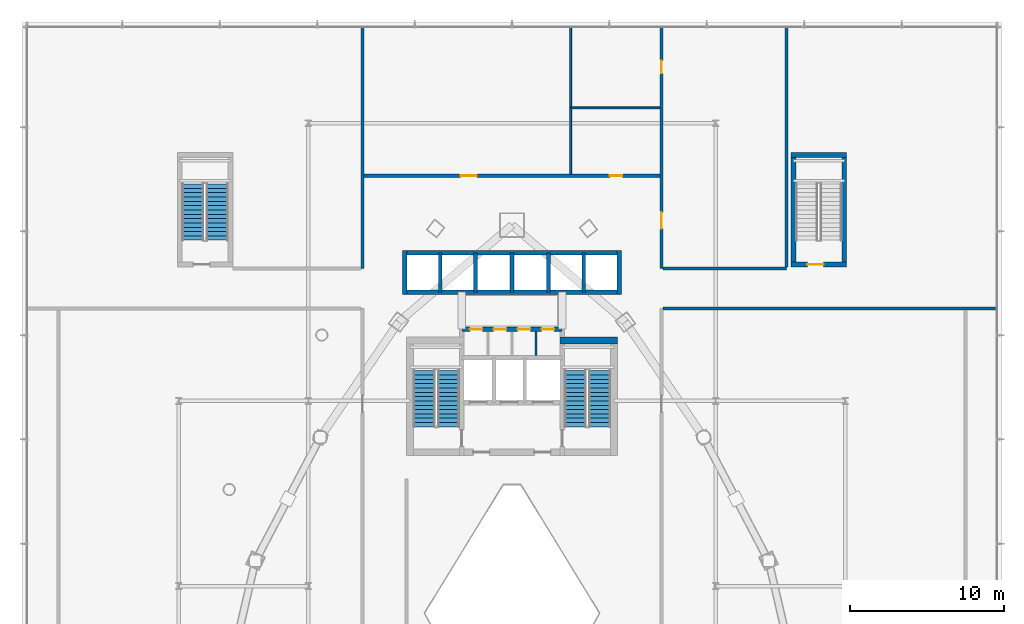
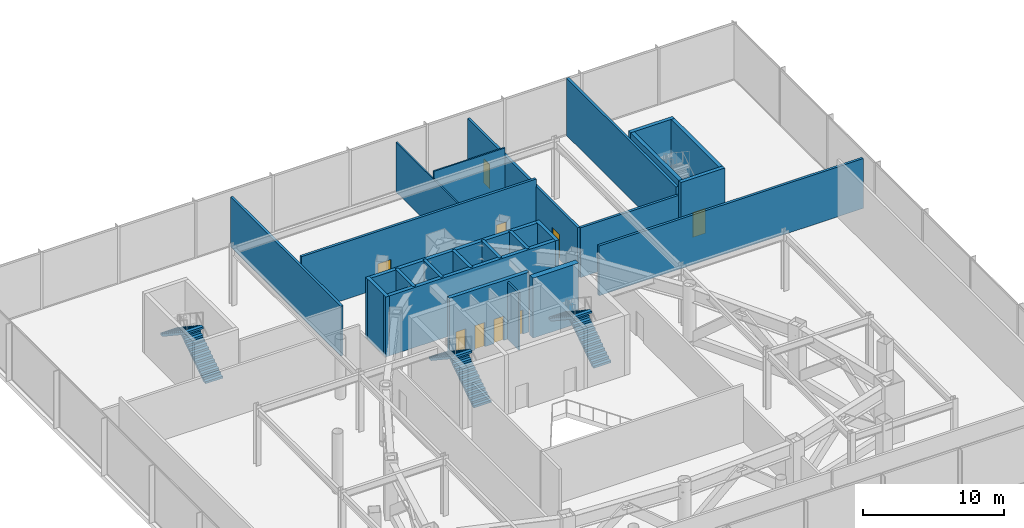
# One storey, part 35 of 43: 24 walls, 9 doors, 6 stair flights, 9 openings, 3 elements without a shape of their own.
"""IFC4 building model written with IfcOpenShell, lengths in metres."""

from ifc_helpers import new_model, si_unit, direction, frame, frame_2d, origin, place, context, subcontext, project, spatial, polyline, rectangle, outline, extrude, material, layer, layer_set, type_object, element, fill, aggregate, save


model = new_model("IFC4")

# Units and contexts
model_context = context("Model", 3, precision=1e-05, world=origin(), true_north=direction((0.0, 1.0)))
body_context = subcontext(model_context, "Body", "Model", "MODEL_VIEW")
ifc_project = project(units=[si_unit("LENGTHUNIT", "METRE"), si_unit("AREAUNIT", "SQUARE_METRE"), si_unit("VOLUMEUNIT", "CUBIC_METRE"), si_unit("PLANEANGLEUNIT", "RADIAN"), si_unit("MASSUNIT", "GRAM", prefix="KILO")], contexts=[model_context])

# Site, building, storey
site_placement = place(None, origin())
site = spatial("IfcSite", under=ifc_project, at=site_placement, CompositionType="ELEMENT")
building_placement = place(site_placement, origin())
building = spatial("IfcBuilding", under=site, at=building_placement, Name="Orvanel Arch Residences", CompositionType="ELEMENT")
storey_placement = place(building_placement, frame((0.0, 0.0, 18.39990234375)))
storey = spatial("IfcBuildingStorey", under=building, at=storey_placement, Name="L04", CompositionType="ELEMENT", Elevation=18.39990234375)

# Walls
ifc_material_1 = material(Name="Concrete N50 (50 MPa)", Category="concrete")
ifc_layer_1 = layer(ifc_material_1, 0.25)
ifc_layer_set_1 = layer_set([ifc_layer_1], Name="Concrete N50 (50 MPa)")
wall_type_1 = type_object("IfcWallType", Name="SW-CORE-250", PredefinedType="SHEAR", material=ifc_layer_set_1)
for number, where, z_axis, x_axis, name in (
    (1, (28.35009765625, 37.050048828125, 0.0), (0.0, 0.0, 1.0), (0.0, 1.0, 0.0), "L04 Passenger Lift Inter-Shaft Wall P13"),
    (2, (30.625, 37.050048828125, 0.0), (0.0, 0.0, 1.0), (0.0, 1.0, 0.0), "L04 Passenger Lift Inter-Shaft Wall P35"),
    (3, (33.0, 37.050048828125, 0.0), (0.0, 0.0, 1.0), (0.0, 1.0, 0.0), "L04 Passenger Lift Inter-Shaft Wall P56"),
    (4, (35.375, 37.050048828125, 0.0), (0.0, 0.0, 1.0), (0.0, 1.0, 0.0), "L04 Passenger Lift Inter-Shaft Wall P64"),
    (5, (37.64990234375, 37.050048828125, 0.0), (0.0, 0.0, 1.0), (0.0, 1.0, 0.0), "L04 Passenger Lift Inter-Shaft Wall P42"),
):
    element("IfcWall", number, at=place(storey_placement, frame(where, z_axis=z_axis, x_axis=x_axis)), inside=storey, type_object=wall_type_1, Name=name, PredefinedType="SHEAR", context=body_context, shape_type="SweptSolid", body=[
        extrude(rectangle(XDim=2.550048828125, YDim=0.25, at=frame_2d((1.27490234375, 0.0))), origin(), (0.0, 0.0, 1.0), 5.2001953125),
    ])

# Wall, openings, doors
ifc_material_2 = material(Name="Concrete S80 (80 MPa)", Category="concrete")
ifc_layer_2 = layer(ifc_material_2, 0.300048828125)
ifc_layer_set_2 = layer_set([ifc_layer_2], Name="Concrete S80 (80 MPa)")
wall_type_2 = type_object("IfcWallType", Name="SW-CORE-300", PredefinedType="SHEAR", material=ifc_layer_set_2)
wall_1_placement = place(storey_placement, frame((29.75, 34.64990234375, 0.0), z_axis=(0.0, 0.0, 1.0), x_axis=(1.0, 0.0, 0.0)))
wall_1 = element("IfcWall", 6, at=wall_1_placement, inside=storey, type_object=wall_type_2, Name="L04 Core Service Band North Shear Wall", PredefinedType="SHEAR", context=body_context, shape_type="SweptSolid", body=[
    extrude(rectangle(XDim=6.5, YDim=0.300048828125, at=frame_2d((3.25, 0.0))), origin(), (0.0, 0.0, 1.0), 5.2001953125),
])
opening_1_placement = place(wall_1_placement, frame((0.514892578125, 0.0, 0.0)))
opening_1 = element("IfcOpeningElement", 7, at=opening_1_placement, cuts=wall_1, Name="Opening DS-082", PredefinedType="OPENING", context=body_context, shape_type="SweptSolid", body=[
    extrude(rectangle(XDim=0.820068359375, YDim=2.10009765625, at=frame_2d((0.41015625, 1.050048828125))), frame((0.0, 0.159912109375, 0.0), z_axis=(0.0, -1.0, 0.0), x_axis=(1.0, 0.0, 0.0)), (0.0, 0.0, 1.0), 0.320068359375),
])
opening_2_placement = place(wall_1_placement, frame((2.06494140625, 0.0, 0.0)))
opening_2 = element("IfcOpeningElement", 8, at=opening_2_placement, cuts=wall_1, Name="Opening DS-082", PredefinedType="OPENING", context=body_context, shape_type="SweptSolid", body=[
    extrude(rectangle(XDim=0.820068359375, YDim=2.10009765625, at=frame_2d((0.41015625, 1.050048828125))), frame((0.0, 0.159912109375, 0.0), z_axis=(0.0, -1.0, 0.0), x_axis=(1.0, 0.0, 0.0)), (0.0, 0.0, 1.0), 0.320068359375),
])
opening_3_placement = place(wall_1_placement, frame((3.614990234375, 0.0, 0.0)))
opening_3 = element("IfcOpeningElement", 9, at=opening_3_placement, cuts=wall_1, Name="Opening DS-082", PredefinedType="OPENING", context=body_context, shape_type="SweptSolid", body=[
    extrude(rectangle(XDim=0.820068359375, YDim=2.10009765625, at=frame_2d((0.41015625, 1.050048828125))), frame((0.0, 0.159912109375, 0.0), z_axis=(0.0, -1.0, 0.0), x_axis=(1.0, 0.0, 0.0)), (0.0, 0.0, 1.0), 0.320068359375),
])
opening_4_placement = place(wall_1_placement, frame((5.1650390625, 0.0, 0.0)))
opening_4 = element("IfcOpeningElement", 10, at=opening_4_placement, cuts=wall_1, Name="Opening DS-082", PredefinedType="OPENING", context=body_context, shape_type="SweptSolid", body=[
    extrude(rectangle(XDim=0.820068359375, YDim=2.10009765625, at=frame_2d((0.41015625, 1.050048828125))), frame((0.0, 0.159912109375, 0.0), z_axis=(0.0, -1.0, 0.0), x_axis=(1.0, 0.0, 0.0)), (0.0, 0.0, 1.0), 0.320068359375),
])
ifc_material_3 = material(Name="Galvanised steel fire-resisting door assembly", Category="steel")
door_type_1 = type_object("IfcDoorType", Name="DR-SVC-820", OperationType="NOTDEFINED", PredefinedType="DOOR", material=ifc_material_3)
door_1_placement = place(opening_1_placement, origin())
door_1 = element("IfcDoor", 11, at=door_1_placement, inside=storey, type_object=door_type_1, Name="DR-L04-CSVC-1 L04 Linen Store Door", OperationType="SINGLE_SWING_LEFT", OverallHeight=2.10009765625, OverallWidth=0.820068359375, PredefinedType="DOOR", context=body_context, shape_type="SweptSolid", body=[
    extrude(rectangle(XDim=0.820068359375, YDim=2.10009765625, at=frame_2d((0.41015625, 1.050048828125))), frame((0.0, 0.02490234375, 0.0), z_axis=(0.0, -1.0, 0.0), x_axis=(1.0, 0.0, 0.0)), (0.0, 0.0, 1.0), 0.050048828125),
])
fill(opening_1, door_1)
door_2_placement = place(opening_2_placement, origin())
door_2 = element("IfcDoor", 12, at=door_2_placement, inside=storey, type_object=door_type_1, Name="DR-L04-CSVC-2 L04 Cleaner's Store Door", OperationType="SINGLE_SWING_LEFT", OverallHeight=2.10009765625, OverallWidth=0.820068359375, PredefinedType="DOOR", context=body_context, shape_type="SweptSolid", body=[
    extrude(rectangle(XDim=0.820068359375, YDim=2.10009765625, at=frame_2d((0.41015625, 1.050048828125))), frame((0.0, 0.02490234375, 0.0), z_axis=(0.0, -1.0, 0.0), x_axis=(1.0, 0.0, 0.0)), (0.0, 0.0, 1.0), 0.050048828125),
])
fill(opening_2, door_2)
door_3_placement = place(opening_3_placement, origin())
door_3 = element("IfcDoor", 13, at=door_3_placement, inside=storey, type_object=door_type_1, Name="DR-L04-CSVC-3 L04 Electrical Meter Store Door", OperationType="SINGLE_SWING_LEFT", OverallHeight=2.10009765625, OverallWidth=0.820068359375, PredefinedType="DOOR", context=body_context, shape_type="SweptSolid", body=[
    extrude(rectangle(XDim=0.820068359375, YDim=2.10009765625, at=frame_2d((0.41015625, 1.050048828125))), frame((0.0, 0.02490234375, 0.0), z_axis=(0.0, -1.0, 0.0), x_axis=(1.0, 0.0, 0.0)), (0.0, 0.0, 1.0), 0.050048828125),
])
fill(opening_3, door_3)
door_4_placement = place(opening_4_placement, origin())
door_4 = element("IfcDoor", 14, at=door_4_placement, inside=storey, type_object=door_type_1, Name="DR-L04-CSVC-4 L04 Housekeeping Supply Store Door", OperationType="SINGLE_SWING_LEFT", OverallHeight=2.10009765625, OverallWidth=0.820068359375, PredefinedType="DOOR", context=body_context, shape_type="SweptSolid", body=[
    extrude(rectangle(XDim=0.820068359375, YDim=2.10009765625, at=frame_2d((0.41015625, 1.050048828125))), frame((0.0, 0.02490234375, 0.0), z_axis=(0.0, -1.0, 0.0), x_axis=(1.0, 0.0, 0.0)), (0.0, 0.0, 1.0), 0.050048828125),
])
fill(opening_4, door_4)

# Walls
for number, where, z_axis, x_axis, name in (
    (15, (40.10009765625, 37.050048828125, 0.0), (0.0, 0.0, 1.0), (-1.0, 0.0, 0.0), "L04 Passenger Lift Bank Front Shear Wall"),
    (16, (25.89990234375, 39.60009765625, 0.0), (0.0, 0.0, 1.0), (1.0, 0.0, 0.0), "L04 Passenger Lift Bank North Shear Wall"),
):
    element("IfcWall", number, at=place(storey_placement, frame(where, z_axis=z_axis, x_axis=x_axis)), inside=storey, type_object=wall_type_2, Name=name, PredefinedType="SHEAR", context=body_context, shape_type="SweptSolid", body=[
        extrude(rectangle(XDim=14.2001953125, YDim=0.300048828125, at=frame_2d((7.10009765625, 0.0))), origin(), (0.0, 0.0, 1.0), 5.2001953125),
    ])
for number, where, z_axis, x_axis, name in (
    (17, (26.050048828125, 36.89990234375, 0.0), (0.0, 0.0, 1.0), (0.0, 1.0, 0.0), "L04 Passenger Lift Bank West Shear Wall"),
    (18, (39.949951171875, 36.89990234375, 0.0), (0.0, 0.0, 1.0), (0.0, 1.0, 0.0), "L04 Passenger Lift Bank East Shear Wall"),
):
    element("IfcWall", number, at=place(storey_placement, frame(where, z_axis=z_axis, x_axis=x_axis)), inside=storey, type_object=wall_type_2, Name=name, PredefinedType="SHEAR", context=body_context, shape_type="SweptSolid", body=[
        extrude(rectangle(XDim=2.85009765625, YDim=0.300048828125, at=frame_2d((1.425048828125, 0.0))), origin(), (0.0, 0.0, 1.0), 5.2001953125),
    ])
for number, where, z_axis, x_axis, name in (
    (19, (51.25, 38.699951171875, 0.0), (0.0, 0.0, 1.0), (0.0, 1.0, 0.0), "L04 ST4 West Shear Wall"),
    (20, (54.550048828125, 38.699951171875, 0.0), (0.0, 0.0, 1.0), (0.0, 1.0, 0.0), "L04 ST4 East Shear Wall"),
):
    element("IfcWall", number, at=place(storey_placement, frame(where, z_axis=z_axis, x_axis=x_axis)), inside=storey, type_object=wall_type_2, Name=name, PredefinedType="SHEAR", context=body_context, shape_type="SweptSolid", body=[
        extrude(rectangle(XDim=7.400146484375, YDim=0.300048828125, at=frame_2d((3.7001953125, 0.0))), origin(), (0.0, 0.0, 1.0), 5.2001953125),
    ])
wall_2_placement = place(storey_placement, frame((51.10009765625, 45.949951171875, 0.0), z_axis=(0.0, 0.0, 1.0), x_axis=(1.0, 0.0, 0.0)))
element("IfcWall", 21, at=wall_2_placement, inside=storey, type_object=wall_type_2, Name="L04 ST4 North Shear Wall", PredefinedType="SHEAR", context=body_context, shape_type="SweptSolid", body=[
    extrude(rectangle(XDim=3.599853515625, YDim=0.300048828125, at=frame_2d((1.7998046875, 0.0))), origin(), (0.0, 0.0, 1.0), 5.2001953125),
])

# Wall, opening, door
wall_3_placement = place(storey_placement, frame((51.10009765625, 38.85009765625, 0.0), z_axis=(0.0, 0.0, 1.0), x_axis=(1.0, 0.0, 0.0)))
wall_3 = element("IfcWall", 22, at=wall_3_placement, inside=storey, type_object=wall_type_2, Name="L04 ST4 South Shear Wall", PredefinedType="SHEAR", context=body_context, shape_type="SweptSolid", body=[
    extrude(rectangle(XDim=3.599853515625, YDim=0.300048828125, at=frame_2d((1.7998046875, 0.0))), origin(), (0.0, 0.0, 1.0), 5.2001953125),
])
opening_5_placement = place(wall_3_placement, frame((1.050048828125, 0.0, 0.0)))
opening_5 = element("IfcOpeningElement", 23, at=opening_5_placement, cuts=wall_3, Name="Opening DF-120", PredefinedType="OPENING", context=body_context, shape_type="SweptSolid", body=[
    extrude(rectangle(XDim=1.050048828125, YDim=2.14990234375, at=frame_2d((0.52490234375, 1.074951171875))), frame((0.0, 0.159912109375, 0.0), z_axis=(0.0, -1.0, 0.0), x_axis=(1.0, 0.0, 0.0)), (0.0, 0.0, 1.0), 0.320068359375),
])
door_type_2 = type_object("IfcDoorType", Name="DR-FD120-1050", OperationType="NOTDEFINED", PredefinedType="DOOR", material=ifc_material_3)
door_5_placement = place(opening_5_placement, origin())
door_5 = element("IfcDoor", 24, at=door_5_placement, inside=storey, type_object=door_type_2, Name="DR-L04-ST4 L04 ST4 Exit Door", OperationType="SINGLE_SWING_LEFT", OverallHeight=2.14990234375, OverallWidth=1.050048828125, PredefinedType="DOOR", context=body_context, shape_type="SweptSolid", body=[
    extrude(rectangle(XDim=1.050048828125, YDim=2.14990234375, at=frame_2d((0.52490234375, 1.074951171875))), frame((0.0, 0.02490234375, 0.0), z_axis=(0.0, -1.0, 0.0), x_axis=(1.0, 0.0, 0.0)), (0.0, 0.0, 1.0), 0.050048828125),
])
fill(opening_5, door_5)

# Walls
ifc_layer_3 = layer(ifc_material_2, 0.449951171875)
ifc_layer_set_3 = layer_set([ifc_layer_3], Name="Concrete S80 (80 MPa)")
wall_type_3 = type_object("IfcWallType", Name="SW-CORE-450", PredefinedType="SHEAR", material=ifc_layer_set_3)
wall_4_placement = place(storey_placement, frame((36.10009765625, 33.925048828125, 0.0), z_axis=(0.0, 0.0, 1.0), x_axis=(1.0, 0.0, 0.0)))
element("IfcWall", 25, at=wall_4_placement, inside=storey, type_object=wall_type_3, Name="L04 East Stair North Shear Wall", PredefinedType="SHEAR", context=body_context, shape_type="SweptSolid", body=[
    extrude(rectangle(XDim=3.75, YDim=0.449951171875, at=frame_2d((1.875, 0.0))), origin(), (0.0, 0.0, 1.0), 5.2001953125),
])
ifc_material_4 = material(Name="Fire-rated plasterboard lined steel stud partition", Category="steel")
ifc_layer_4 = layer(ifc_material_4, 0.199951171875)
ifc_layer_set_4 = layer_set([ifc_layer_4], Name="Fire-rated plasterboard lined steel stud partition")
wall_type_4 = type_object("IfcWallType", Name="W-PLT-200", PredefinedType="PARTITIONING", material=ifc_layer_set_4)
wall_5_placement = place(storey_placement, frame((42.784912109375, 36.0, 0.0), z_axis=(0.0, 0.0, 1.0), x_axis=(1.0, 0.0, 0.0)))
element("IfcWall", 26, at=wall_5_placement, inside=storey, type_object=wall_type_4, Name="L04 East Wing North Wall", PredefinedType="PARTITIONING", context=body_context, shape_type="SweptSolid", body=[
    extrude(rectangle(XDim=21.650146484375, YDim=0.199951171875, at=frame_2d((10.8251953125, 0.0))), origin(), (0.0, 0.0, 1.0), 4.31298828125),
])
wall_6_placement = place(storey_placement, frame((23.300048828125, 38.60009765625, 0.0), z_axis=(0.0, 0.0, 1.0), x_axis=(0.0, 1.0, 0.0)))
element("IfcWall", 27, at=wall_6_placement, inside=storey, type_object=wall_type_4, Name="L04 W Outer Corridor Wall", PredefinedType="PARTITIONING", context=body_context, shape_type="SweptSolid", body=[
    extrude(rectangle(XDim=15.635009765625, YDim=0.199951171875, at=frame_2d((7.8173828125, 0.0))), origin(), (0.0, 0.0, 1.0), 4.31298828125),
])

# Wall, openings, doors
wall_7_placement = place(storey_placement, frame((42.699951171875, 38.60009765625, 0.0), z_axis=(0.0, 0.0, 1.0), x_axis=(0.0, 1.0, 0.0)))
wall_7 = element("IfcWall", 28, at=wall_7_placement, inside=storey, type_object=wall_type_4, Name="L04 E Outer Corridor Wall", PredefinedType="PARTITIONING", context=body_context, shape_type="SweptSolid", body=[
    extrude(rectangle(XDim=15.635009765625, YDim=0.199951171875, at=frame_2d((7.8173828125, 0.0))), origin(), (0.0, 0.0, 1.0), 4.31298828125),
])
opening_6_placement = place(wall_7_placement, frame((12.639892578125, 0.0, 0.0)))
opening_6 = element("IfcOpeningElement", 29, at=opening_6_placement, cuts=wall_7, Name="Opening DS-082", PredefinedType="OPENING", context=body_context, shape_type="SweptSolid", body=[
    extrude(rectangle(XDim=0.820068359375, YDim=2.10009765625, at=frame_2d((0.41015625, 1.050048828125))), frame((0.0, 0.10986328125, 0.0), z_axis=(0.0, -1.0, 0.0), x_axis=(1.0, 0.0, 0.0)), (0.0, 0.0, 1.0), 0.219970703125),
])
opening_7_placement = place(wall_7_placement, frame((2.574951171875, 0.0, 0.0)))
opening_7 = element("IfcOpeningElement", 30, at=opening_7_placement, cuts=wall_7, Name="Opening DF-120", PredefinedType="OPENING", context=body_context, shape_type="SweptSolid", body=[
    extrude(rectangle(XDim=1.050048828125, YDim=2.14990234375, at=frame_2d((0.52490234375, 1.074951171875))), frame((0.0, 0.10986328125, 0.0), z_axis=(0.0, -1.0, 0.0), x_axis=(1.0, 0.0, 0.0)), (0.0, 0.0, 1.0), 0.219970703125),
])
door_6_placement = place(opening_7_placement, origin())
door_6 = element("IfcDoor", 31, at=door_6_placement, inside=storey, type_object=door_type_2, Name="DR-L04-NE L04 North-East AHU Plant Room Door", OperationType="SINGLE_SWING_LEFT", OverallHeight=2.14990234375, OverallWidth=1.050048828125, PredefinedType="DOOR", context=body_context, shape_type="SweptSolid", body=[
    extrude(rectangle(XDim=1.050048828125, YDim=2.14990234375, at=frame_2d((0.52490234375, 1.074951171875))), frame((0.0, 0.02490234375, 0.0), z_axis=(0.0, -1.0, 0.0), x_axis=(1.0, 0.0, 0.0)), (0.0, 0.0, 1.0), 0.050048828125),
])
fill(opening_7, door_6)
door_7_placement = place(opening_6_placement, origin())
door_7 = element("IfcDoor", 32, at=door_7_placement, inside=storey, type_object=door_type_1, Name="DR-L04-JAN L04 Cleaners Door", OperationType="SINGLE_SWING_LEFT", OverallHeight=2.10009765625, OverallWidth=0.820068359375, PredefinedType="DOOR", context=body_context, shape_type="SweptSolid", body=[
    extrude(rectangle(XDim=0.820068359375, YDim=2.10009765625, at=frame_2d((0.41015625, 1.050048828125))), frame((0.0, 0.02490234375, 0.0), z_axis=(0.0, -1.0, 0.0), x_axis=(1.0, 0.0, 0.0)), (0.0, 0.0, 1.0), 0.050048828125),
])
fill(opening_6, door_7)

# Walls
wall_8_placement = place(storey_placement, frame((42.784912109375, 38.60009765625, 0.0), z_axis=(0.0, 0.0, 1.0), x_axis=(1.0, 0.0, 0.0)))
element("IfcWall", 33, at=wall_8_placement, inside=storey, type_object=wall_type_4, Name="L04 NE Suite South Wall", PredefinedType="PARTITIONING", context=body_context, shape_type="SweptSolid", body=[
    extrude(rectangle(XDim=8.01513671875, YDim=0.199951171875, at=frame_2d((4.007568359375, 0.0))), origin(), (0.0, 0.0, 1.0), 4.31298828125),
])
wall_9_placement = place(storey_placement, frame((50.800048828125, 38.68505859375, 0.0), z_axis=(0.0, 0.0, 1.0), x_axis=(0.0, 1.0, 0.0)))
element("IfcWall", 34, at=wall_9_placement, inside=storey, type_object=wall_type_4, Name="L04 NE Suite East Wall", PredefinedType="PARTITIONING", context=body_context, shape_type="SweptSolid", body=[
    extrude(rectangle(XDim=15.550048828125, YDim=0.199951171875, at=frame_2d((7.77490234375, 0.0))), origin(), (0.0, 0.0, 1.0), 4.960205078125),
])

# Wall, openings, doors
wall_10_placement = place(storey_placement, frame((23.385009765625, 44.60009765625, 0.0), z_axis=(0.0, 0.0, 1.0), x_axis=(1.0, 0.0, 0.0)))
wall_10 = element("IfcWall", 35, at=wall_10_placement, inside=storey, type_object=wall_type_4, Name="L04 N Corridor Wall", PredefinedType="PARTITIONING", context=body_context, shape_type="SweptSolid", body=[
    extrude(rectangle(XDim=19.22998046875, YDim=0.199951171875, at=frame_2d((9.614990234375, 0.0))), origin(), (0.0, 0.0, 1.0), 4.960205078125),
])
opening_8_placement = place(wall_10_placement, frame((6.2900390625, 0.0, 0.0)))
opening_8 = element("IfcOpeningElement", 36, at=opening_8_placement, cuts=wall_10, Name="Opening DF-120", PredefinedType="OPENING", context=body_context, shape_type="SweptSolid", body=[
    extrude(rectangle(XDim=1.050048828125, YDim=2.14990234375, at=frame_2d((0.52490234375, 1.074951171875))), frame((0.0, 0.10986328125, 0.0), z_axis=(0.0, -1.0, 0.0), x_axis=(1.0, 0.0, 0.0)), (0.0, 0.0, 1.0), 0.219970703125),
])
opening_9_placement = place(wall_10_placement, frame((15.955078125, 0.0, 0.0)))
opening_9 = element("IfcOpeningElement", 37, at=opening_9_placement, cuts=wall_10, Name="Opening DW-082", PredefinedType="OPENING", context=body_context, shape_type="SweptSolid", body=[
    extrude(rectangle(XDim=0.820068359375, YDim=2.10009765625, at=frame_2d((0.41015625, 1.050048828125))), frame((0.0, 0.10986328125, 0.0), z_axis=(0.0, -1.0, 0.0), x_axis=(1.0, 0.0, 0.0)), (0.0, 0.0, 1.0), 0.219970703125),
])
door_8_placement = place(opening_8_placement, origin())
door_8 = element("IfcDoor", 38, at=door_8_placement, inside=storey, type_object=door_type_2, Name="DR-L04-N L04 North HV Switchroom Plant Door", OperationType="SINGLE_SWING_LEFT", OverallHeight=2.14990234375, OverallWidth=1.050048828125, PredefinedType="DOOR", context=body_context, shape_type="SweptSolid", body=[
    extrude(rectangle(XDim=1.050048828125, YDim=2.14990234375, at=frame_2d((0.52490234375, 1.074951171875))), frame((0.0, 0.02490234375, 0.0), z_axis=(0.0, -1.0, 0.0), x_axis=(1.0, 0.0, 0.0)), (0.0, 0.0, 1.0), 0.050048828125),
])
fill(opening_8, door_8)
ifc_material_5 = material(Name="Solid-core European oak veneer fire door leaf", Category="wood")
door_type_3 = type_object("IfcDoorType", Name="DR-WET-820", OperationType="NOTDEFINED", PredefinedType="DOOR", material=ifc_material_5)
door_9_placement = place(opening_9_placement, origin())
door_9 = element("IfcDoor", 39, at=door_9_placement, inside=storey, type_object=door_type_3, Name="DR-L04-WC L04 Accessible WC Door", OperationType="SINGLE_SWING_RIGHT", OverallHeight=2.10009765625, OverallWidth=0.820068359375, PredefinedType="DOOR", context=body_context, shape_type="SweptSolid", body=[
    extrude(rectangle(XDim=0.820068359375, YDim=2.10009765625, at=frame_2d((0.41015625, 1.050048828125))), frame((0.0, 0.02490234375, 0.0), z_axis=(0.0, -1.0, 0.0), x_axis=(1.0, 0.0, 0.0)), (0.0, 0.0, 1.0), 0.050048828125),
])
fill(opening_9, door_9)

# Walls
ifc_layer_5 = layer(ifc_material_4, 0.14990234375)
ifc_layer_set_5 = layer_set([ifc_layer_5], Name="Fire-rated plasterboard lined steel stud partition")
wall_type_5 = type_object("IfcWallType", Name="W-ST-150", PredefinedType="PARTITIONING", material=ifc_layer_set_5)
wall_11_placement = place(storey_placement, frame((34.550048828125, 32.93505859375, 0.0), z_axis=(0.0, 0.0, 1.0), x_axis=(0.0, 1.0, 0.0)))
element("IfcWall", 40, at=wall_11_placement, inside=storey, type_object=wall_type_5, Name="L04 Core Service Partition 3", PredefinedType="PARTITIONING", context=body_context, shape_type="SweptSolid", body=[
    extrude(rectangle(XDim=1.579833984375, YDim=0.14990234375, at=frame_2d((0.7900390625, 0.0))), origin(), (0.0, 0.0, 1.0), 4.960205078125),
])
ifc_material_6 = material(Name="Acoustic plasterboard lined twin-stud partition", Category="gypsum")
ifc_layer_6 = layer(ifc_material_6, 0.1201171875)
ifc_layer_set_6 = layer_set([ifc_layer_6], Name="Acoustic plasterboard lined twin-stud partition")
wall_type_6 = type_object("IfcWallType", Name="W-WET-120", PredefinedType="PARTITIONING", material=ifc_layer_set_6)
wall_12_placement = place(storey_placement, frame((36.800048828125, 44.68505859375, 0.0), z_axis=(0.0, 0.0, 1.0), x_axis=(0.0, 1.0, 0.0)))
element("IfcWall", 41, at=wall_12_placement, inside=storey, type_object=wall_type_6, Name="L04 WC West Wall", PredefinedType="PARTITIONING", context=body_context, shape_type="SweptSolid", body=[
    extrude(rectangle(XDim=9.550048828125, YDim=0.1201171875, at=frame_2d((4.77490234375, 0.0))), origin(), (0.0, 0.0, 1.0), 4.31298828125),
])
wall_13_placement = place(storey_placement, frame((36.800048828125, 49.0, 0.0), z_axis=(0.0, 0.0, 1.0), x_axis=(1.0, 0.0, 0.0)))
element("IfcWall", 42, at=wall_13_placement, inside=storey, type_object=wall_type_6, Name="L04 WC North Wall", PredefinedType="PARTITIONING", context=body_context, shape_type="SweptSolid", body=[
    extrude(rectangle(XDim=5.81494140625, YDim=0.1201171875, at=frame_2d((2.907470703125, 0.0))), origin(), (0.0, 0.0, 1.0), 4.960205078125),
])

# Stair, stair flights
ifc_material_7 = material(Name="Precast concrete N50 (50 MPa)", Category="concrete")
stair_type = type_object("IfcStairType", Name="STR-DOG-184", PredefinedType="USERDEFINED", material=ifc_material_7)
stair_1_placement = place(storey_placement, origin())
stair_1 = element("IfcStair", 43, at=stair_1_placement, inside=storey, type_object=stair_type, Name="L04 Fire-Isolated Core Exit Stair 1", ObjectType="TWO_RETURN_STAIR", PredefinedType="USERDEFINED")
stair_flight_type_1 = type_object("IfcStairFlightType", Name="SFL-C1-184", PredefinedType="STRAIGHT", material=ifc_material_7)
stair_flight_1_placement = place(storey_placement, frame((28.889892578125, 28.320068359375, 0.0), z_axis=(0.0, 0.0, 1.0), x_axis=(0.0, 1.0, 0.0)))
stair_flight_1 = element("IfcStairFlight", 44, at=stair_flight_1_placement, type_object=stair_flight_type_1, Name="ST-1 flight 1", NumberOfRisers=14, NumberOfTreads=13, PredefinedType="STRAIGHT", RiserHeight=0.185714286, TreadLength=0.28, context=body_context, shape_type="SweptSolid", body=[
    extrude(outline(polyline([(0.0, 0.0), (0.0, 0.185791015625), (0.280029296875, 0.185791015625), (0.280029296875, 0.371337890625), (0.56005859375, 0.371337890625), (0.56005859375, 0.55712890625), (0.840087890625, 0.55712890625), (0.840087890625, 0.742919921875), (1.1201171875, 0.742919921875), (1.1201171875, 0.928466796875), (1.39990234375, 0.928466796875), (1.39990234375, 1.1142578125), (1.679931640625, 1.1142578125), (1.679931640625, 1.300048828125), (1.9599609375, 1.300048828125), (1.9599609375, 1.485595703125), (2.239990234375, 1.485595703125), (2.239990234375, 1.67138671875), (2.52001953125, 1.67138671875), (2.52001953125, 1.857177734375), (2.800048828125, 1.857177734375), (2.800048828125, 2.04296875), (3.080078125, 2.04296875), (3.080078125, 2.228515625), (3.360107421875, 2.228515625), (3.360107421875, 2.414306640625), (3.639892578125, 2.414306640625), (3.639892578125, 2.60009765625), (3.639892578125, 2.234375), (0.271240234375, 0.0), (0.0, 0.0)])), frame((0.0, 0.7099609375, 0.0), z_axis=(0.0, -1.0, 0.0), x_axis=(1.0, 0.0, 0.0)), (0.0, 0.0, 1.0), 1.419921875),
])
stair_flight_2_placement = place(storey_placement, frame((27.31005859375, 31.9599609375, 2.60009765625), z_axis=(0.0, 0.0, 1.0), x_axis=(0.0, -1.0, 0.0)))
stair_flight_2 = element("IfcStairFlight", 45, at=stair_flight_2_placement, type_object=stair_flight_type_1, Name="ST-1 flight 2", NumberOfRisers=14, NumberOfTreads=13, PredefinedType="STRAIGHT", RiserHeight=0.185714286, TreadLength=0.28, context=body_context, shape_type="SweptSolid", body=[
    extrude(outline(polyline([(0.0, 0.0), (0.0, 0.185791015625), (0.280029296875, 0.185791015625), (0.280029296875, 0.371337890625), (0.56005859375, 0.371337890625), (0.56005859375, 0.55712890625), (0.840087890625, 0.55712890625), (0.840087890625, 0.742919921875), (1.1201171875, 0.742919921875), (1.1201171875, 0.928466796875), (1.39990234375, 0.928466796875), (1.39990234375, 1.1142578125), (1.679931640625, 1.1142578125), (1.679931640625, 1.300048828125), (1.9599609375, 1.300048828125), (1.9599609375, 1.485595703125), (2.239990234375, 1.485595703125), (2.239990234375, 1.67138671875), (2.52001953125, 1.67138671875), (2.52001953125, 1.857177734375), (2.800048828125, 1.857177734375), (2.800048828125, 2.04296875), (3.080078125, 2.04296875), (3.080078125, 2.228515625), (3.360107421875, 2.228515625), (3.360107421875, 2.414306640625), (3.639892578125, 2.414306640625), (3.639892578125, 2.60009765625), (3.639892578125, 2.234375), (0.271240234375, 0.0), (0.0, 0.0)])), frame((0.0, 0.7099609375, 0.0), z_axis=(0.0, -1.0, 0.0), x_axis=(1.0, 0.0, 0.0)), (0.0, 0.0, 1.0), 1.419921875),
])
aggregate(stair_1, [stair_flight_1, stair_flight_2])

stair_2_placement = place(storey_placement, origin())
stair_2 = element("IfcStair", 46, at=stair_2_placement, inside=storey, type_object=stair_type, Name="L04 Fire-Isolated Core Exit Stair 2", ObjectType="TWO_RETURN_STAIR", PredefinedType="USERDEFINED")
stair_flight_type_2 = type_object("IfcStairFlightType", Name="SFL-C2-184", PredefinedType="STRAIGHT", material=ifc_material_7)
stair_flight_3_placement = place(storey_placement, frame((38.68994140625, 28.320068359375, 0.0), z_axis=(0.0, 0.0, 1.0), x_axis=(0.0, 1.0, 0.0)))
stair_flight_3 = element("IfcStairFlight", 47, at=stair_flight_3_placement, type_object=stair_flight_type_2, Name="ST-2 flight 1", NumberOfRisers=14, NumberOfTreads=13, PredefinedType="STRAIGHT", RiserHeight=0.185714286, TreadLength=0.28, context=body_context, shape_type="SweptSolid", body=[
    extrude(outline(polyline([(0.0, 0.0), (0.0, 0.185791015625), (0.280029296875, 0.185791015625), (0.280029296875, 0.371337890625), (0.56005859375, 0.371337890625), (0.56005859375, 0.55712890625), (0.840087890625, 0.55712890625), (0.840087890625, 0.742919921875), (1.1201171875, 0.742919921875), (1.1201171875, 0.928466796875), (1.39990234375, 0.928466796875), (1.39990234375, 1.1142578125), (1.679931640625, 1.1142578125), (1.679931640625, 1.300048828125), (1.9599609375, 1.300048828125), (1.9599609375, 1.485595703125), (2.239990234375, 1.485595703125), (2.239990234375, 1.67138671875), (2.52001953125, 1.67138671875), (2.52001953125, 1.857177734375), (2.800048828125, 1.857177734375), (2.800048828125, 2.04296875), (3.080078125, 2.04296875), (3.080078125, 2.228515625), (3.360107421875, 2.228515625), (3.360107421875, 2.414306640625), (3.639892578125, 2.414306640625), (3.639892578125, 2.60009765625), (3.639892578125, 2.234375), (0.271240234375, 0.0), (0.0, 0.0)])), frame((0.0, 0.7099609375, 0.0), z_axis=(0.0, -1.0, 0.0), x_axis=(1.0, 0.0, 0.0)), (0.0, 0.0, 1.0), 1.419921875),
])
stair_flight_4_placement = place(storey_placement, frame((37.110107421875, 31.9599609375, 2.60009765625), z_axis=(0.0, 0.0, 1.0), x_axis=(0.0, -1.0, 0.0)))
stair_flight_4 = element("IfcStairFlight", 48, at=stair_flight_4_placement, type_object=stair_flight_type_2, Name="ST-2 flight 2", NumberOfRisers=14, NumberOfTreads=13, PredefinedType="STRAIGHT", RiserHeight=0.185714286, TreadLength=0.28, context=body_context, shape_type="SweptSolid", body=[
    extrude(outline(polyline([(0.0, 0.0), (0.0, 0.185791015625), (0.280029296875, 0.185791015625), (0.280029296875, 0.371337890625), (0.56005859375, 0.371337890625), (0.56005859375, 0.55712890625), (0.840087890625, 0.55712890625), (0.840087890625, 0.742919921875), (1.1201171875, 0.742919921875), (1.1201171875, 0.928466796875), (1.39990234375, 0.928466796875), (1.39990234375, 1.1142578125), (1.679931640625, 1.1142578125), (1.679931640625, 1.300048828125), (1.9599609375, 1.300048828125), (1.9599609375, 1.485595703125), (2.239990234375, 1.485595703125), (2.239990234375, 1.67138671875), (2.52001953125, 1.67138671875), (2.52001953125, 1.857177734375), (2.800048828125, 1.857177734375), (2.800048828125, 2.04296875), (3.080078125, 2.04296875), (3.080078125, 2.228515625), (3.360107421875, 2.228515625), (3.360107421875, 2.414306640625), (3.639892578125, 2.414306640625), (3.639892578125, 2.60009765625), (3.639892578125, 2.234375), (0.271240234375, 0.0), (0.0, 0.0)])), frame((0.0, 0.7099609375, 0.0), z_axis=(0.0, -1.0, 0.0), x_axis=(1.0, 0.0, 0.0)), (0.0, 0.0, 1.0), 1.419921875),
])
aggregate(stair_2, [stair_flight_3, stair_flight_4])

stair_3_placement = place(storey_placement, origin())
stair_3 = element("IfcStair", 49, at=stair_3_placement, inside=storey, type_object=stair_type, Name="L04 West Podium Fire-Isolated Exit Stair 3", ObjectType="TWO_RETURN_STAIR", PredefinedType="USERDEFINED")
stair_flight_type_3 = type_object("IfcStairFlightType", Name="SFL-C3-184", PredefinedType="STRAIGHT", material=ifc_material_7)
stair_flight_5_placement = place(storey_placement, frame((13.889892578125, 40.419921875, 0.0), z_axis=(0.0, 0.0, 1.0), x_axis=(0.0, 1.0, 0.0)))
stair_flight_5 = element("IfcStairFlight", 50, at=stair_flight_5_placement, type_object=stair_flight_type_3, Name="ST-3 flight 1", NumberOfRisers=14, NumberOfTreads=13, PredefinedType="STRAIGHT", RiserHeight=0.185714286, TreadLength=0.28, context=body_context, shape_type="SweptSolid", body=[
    extrude(outline(polyline([(0.0, 0.0), (0.0, 0.185791015625), (0.280029296875, 0.185791015625), (0.280029296875, 0.371337890625), (0.56005859375, 0.371337890625), (0.56005859375, 0.55712890625), (0.840087890625, 0.55712890625), (0.840087890625, 0.742919921875), (1.1201171875, 0.742919921875), (1.1201171875, 0.928466796875), (1.39990234375, 0.928466796875), (1.39990234375, 1.1142578125), (1.679931640625, 1.1142578125), (1.679931640625, 1.300048828125), (1.9599609375, 1.300048828125), (1.9599609375, 1.485595703125), (2.239990234375, 1.485595703125), (2.239990234375, 1.67138671875), (2.52001953125, 1.67138671875), (2.52001953125, 1.857177734375), (2.800048828125, 1.857177734375), (2.800048828125, 2.04296875), (3.080078125, 2.04296875), (3.080078125, 2.228515625), (3.360107421875, 2.228515625), (3.360107421875, 2.414306640625), (3.639892578125, 2.414306640625), (3.639892578125, 2.60009765625), (3.639892578125, 2.234375), (0.271240234375, 0.0), (0.0, 0.0)])), frame((0.0, 0.7099609375, 0.0), z_axis=(0.0, -1.0, 0.0), x_axis=(1.0, 0.0, 0.0)), (0.0, 0.0, 1.0), 1.419921875),
])
stair_flight_6_placement = place(storey_placement, frame((12.31005859375, 44.06005859375, 2.60009765625), z_axis=(0.0, 0.0, 1.0), x_axis=(0.0, -1.0, 0.0)))
stair_flight_6 = element("IfcStairFlight", 51, at=stair_flight_6_placement, type_object=stair_flight_type_3, Name="ST-3 flight 2", NumberOfRisers=14, NumberOfTreads=13, PredefinedType="STRAIGHT", RiserHeight=0.185714286, TreadLength=0.28, context=body_context, shape_type="SweptSolid", body=[
    extrude(outline(polyline([(0.0, 0.0), (0.0, 0.185791015625), (0.280029296875, 0.185791015625), (0.280029296875, 0.371337890625), (0.56005859375, 0.371337890625), (0.56005859375, 0.55712890625), (0.840087890625, 0.55712890625), (0.840087890625, 0.742919921875), (1.1201171875, 0.742919921875), (1.1201171875, 0.928466796875), (1.39990234375, 0.928466796875), (1.39990234375, 1.1142578125), (1.679931640625, 1.1142578125), (1.679931640625, 1.300048828125), (1.9599609375, 1.300048828125), (1.9599609375, 1.485595703125), (2.239990234375, 1.485595703125), (2.239990234375, 1.67138671875), (2.52001953125, 1.67138671875), (2.52001953125, 1.857177734375), (2.800048828125, 1.857177734375), (2.800048828125, 2.04296875), (3.080078125, 2.04296875), (3.080078125, 2.228515625), (3.360107421875, 2.228515625), (3.360107421875, 2.414306640625), (3.639892578125, 2.414306640625), (3.639892578125, 2.60009765625), (3.639892578125, 2.234375), (0.271240234375, 0.0), (0.0, 0.0)])), frame((0.0, 0.7099609375, 0.0), z_axis=(0.0, -1.0, 0.0), x_axis=(1.0, 0.0, 0.0)), (0.0, 0.0, 1.0), 1.419921875),
])
aggregate(stair_3, [stair_flight_5, stair_flight_6])

save(model, "model.ifc")
